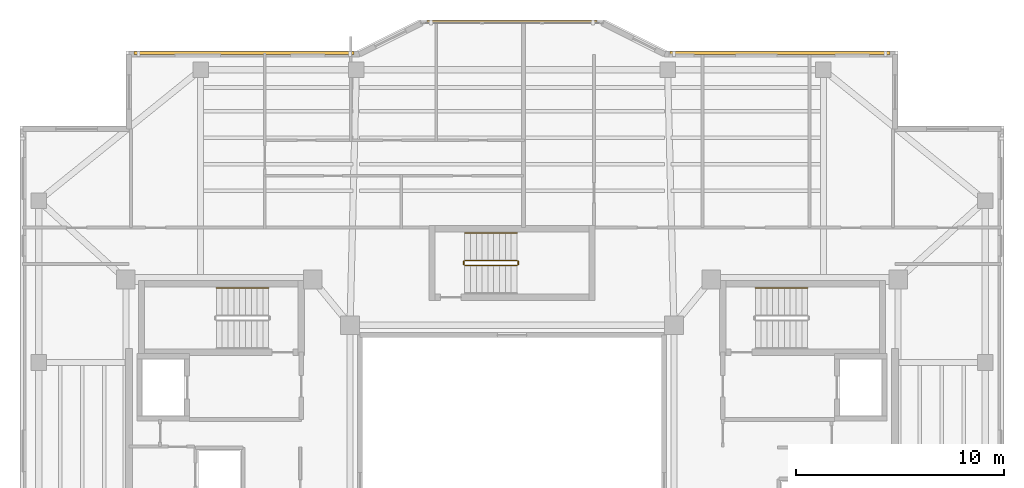
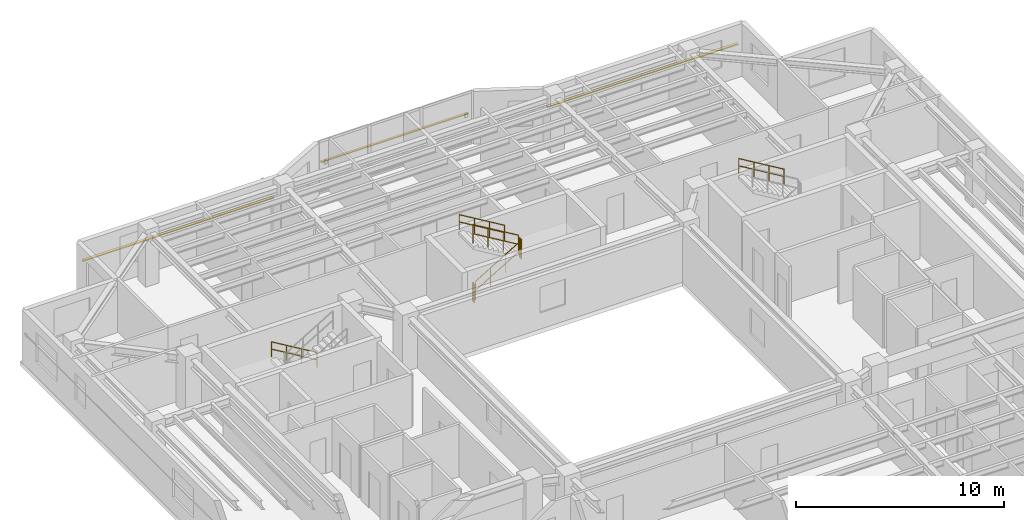
# One storey, part 13 of 13: 7 railings, 3 shading devices.
"""IFC4 building model written with IfcOpenShell, lengths in metres."""

from ifc_helpers import new_model, si_unit, direction, frame, origin, origin_2d, place, context, subcontext, project, spatial, rectangle, circle, extrude, material, material_profile, profile_set, type_object, element, save


model = new_model("IFC4")

# Units and contexts
model_context = context("Model", 3, precision=1e-05, world=origin(), true_north=direction((0.0, 1.0)))
body_context = subcontext(model_context, "Body", "Model", "MODEL_VIEW")
ifc_project = project(units=[si_unit("LENGTHUNIT", "METRE"), si_unit("AREAUNIT", "SQUARE_METRE"), si_unit("VOLUMEUNIT", "CUBIC_METRE"), si_unit("PLANEANGLEUNIT", "RADIAN"), si_unit("MASSUNIT", "GRAM", prefix="KILO")], contexts=[model_context])

# Site, building, storey
site_placement = place(None, origin())
site = spatial("IfcSite", under=ifc_project, at=site_placement, CompositionType="ELEMENT")
building_placement = place(site_placement, origin())
building = spatial("IfcBuilding", under=site, at=building_placement, Name="Tarnavaz Court Tower", CompositionType="ELEMENT")
storey_placement = place(building_placement, frame((0.0, 0.0, 193.60009765625)))
storey = spatial("IfcBuildingStorey", under=building, at=storey_placement, Name="L52", CompositionType="ELEMENT", Elevation=193.60009765625)

# Railings
ifc_material_1 = material(Name="Brushed Stainless Steel", Category="steel")
railing_type_1 = type_object("IfcRailingType", Name="RL-HANDRAIL-900", PredefinedType="HANDRAIL", material=ifc_material_1)
railing_1_placement = place(storey_placement, frame((-11.719970703125, 9.590087890625, 0.16748046875)))
element("IfcRailing", 1, at=railing_1_placement, inside=storey, type_object=railing_type_1, Name="L52 ST-W1 stair handrail 1", PredefinedType="HANDRAIL", context=body_context, shape_type="SweptSolid", body=[
    extrude(circle(Radius=0.02392578125, at=origin_2d()), frame((0.0, 0.0, 0.8759765625), z_axis=(-0.858196387827, 0.0, 0.513321497621), x_axis=(0.0, -1.0, 0.0)), (0.0, 0.0, 1.0), 2.9365234375),
    extrude(circle(Radius=0.02392578125, at=origin_2d()), frame((0.0, 0.0, 0.449951171875), z_axis=(-0.858196387827, 0.0, 0.513321497621), x_axis=(0.0, -1.0, 0.0)), (0.0, 0.0, 1.0), 2.9365234375),
    extrude(circle(Radius=0.02099609375, at=origin_2d()), origin(), (0.0, 0.0, 1.0), 0.851806640625),
    extrude(circle(Radius=0.02099609375, at=origin_2d()), frame((-0.840087890625, 0.0, 0.50244140625)), (0.0, 0.0, 1.0), 0.851806640625),
    extrude(circle(Radius=0.02099609375, at=origin_2d()), frame((-1.679931640625, 0.0, 1.0048828125)), (0.0, 0.0, 1.0), 0.851806640625),
    extrude(circle(Radius=0.02099609375, at=origin_2d()), frame((-2.52001953125, 0.0, 1.50732421875)), (0.0, 0.0, 1.0), 0.851806640625),
])
for number, where, name in (
    (2, (14.239990234375, 9.590087890625, 1.84228515625), "L52 ST-E1 stair handrail 2"),
    (3, (0.239990234375, 12.239990234375, 1.84228515625), "L52 ST-N1 stair handrail 2"),
):
    element("IfcRailing", number, at=place(storey_placement, frame(where)), inside=storey, type_object=railing_type_1, Name=name, PredefinedType="HANDRAIL", context=body_context, shape_type="SweptSolid", body=[
        extrude(circle(Radius=0.02392578125, at=origin_2d()), frame((0.0, 0.0, 0.8759765625), z_axis=(-0.858159760407, 0.0, 0.513382728203), x_axis=(0.0, -1.0, 0.0)), (0.0, 0.0, 1.0), 2.9365234375),
        extrude(circle(Radius=0.02392578125, at=origin_2d()), frame((0.0, 0.0, 0.449951171875), z_axis=(-0.858159760407, 0.0, 0.513382728203), x_axis=(0.0, -1.0, 0.0)), (0.0, 0.0, 1.0), 2.9365234375),
        extrude(circle(Radius=0.02099609375, at=origin_2d()), origin(), (0.0, 0.0, 1.0), 0.851806640625),
        extrude(circle(Radius=0.02099609375, at=origin_2d()), frame((-0.840087890625, 0.0, 0.50244140625)), (0.0, 0.0, 1.0), 0.851806640625),
        extrude(circle(Radius=0.02099609375, at=origin_2d()), frame((-1.679931640625, 0.0, 1.005126953125)), (0.0, 0.0, 1.0), 0.851806640625),
        extrude(circle(Radius=0.02099609375, at=origin_2d()), frame((-2.52001953125, 0.0, 1.507568359375)), (0.0, 0.0, 1.0), 0.851806640625),
    ])
ifc_material_2 = material(Name="Galvanized Painted Tubular Steel", Category="steel")
railing_type_2 = type_object("IfcRailingType", Name="RL-STGUARD-1120", PredefinedType="GUARDRAIL", material=ifc_material_2)
railing_2_placement = place(storey_placement, frame((-2.280029296875, 10.669921875, 0.16748046875)))
element("IfcRailing", 4, at=railing_2_placement, inside=storey, type_object=railing_type_2, Name="L52 ST-N1 stair guard 1", PredefinedType="GUARDRAIL", context=body_context, shape_type="SweptSolid", body=[
    extrude(circle(Radius=0.02392578125, at=origin_2d()), frame((0.0, 0.0, 1.09619140625), z_axis=(0.858196387827, 0.0, 0.513321497621), x_axis=(0.0, 1.0, 0.0)), (0.0, 0.0, 1.0), 2.9365234375),
    extrude(circle(Radius=0.02392578125, at=origin_2d()), frame((0.0, 0.0, 0.56005859375), z_axis=(0.858196387827, 0.0, 0.513321497621), x_axis=(0.0, 1.0, 0.0)), (0.0, 0.0, 1.0), 2.9365234375),
    extrude(circle(Radius=0.02099609375, at=origin_2d()), origin(), (0.0, 0.0, 1.0), 1.072021484375),
    extrude(circle(Radius=0.02099609375, at=origin_2d()), frame((0.840087890625, 0.0, 0.50244140625)), (0.0, 0.0, 1.0), 1.072021484375),
    extrude(circle(Radius=0.02099609375, at=origin_2d()), frame((1.679931640625, 0.0, 1.0048828125)), (0.0, 0.0, 1.0), 1.072021484375),
    extrude(circle(Radius=0.02099609375, at=origin_2d()), frame((2.52001953125, 0.0, 1.50732421875)), (0.0, 0.0, 1.0), 1.072021484375),
])
railing_3_placement = place(storey_placement, frame((0.2900390625, 10.719970703125, 1.6748046875)))
element("IfcRailing", 5, at=railing_3_placement, inside=storey, type_object=railing_type_2, Name="L52 ST-N1 stair guard 2", PredefinedType="GUARDRAIL", context=body_context, shape_type="SweptSolid", body=[
    extrude(circle(Radius=0.02392578125, at=origin_2d()), frame((0.0, 0.0, 1.09619140625), z_axis=(0.0, 1.0, 0.0), x_axis=(-1.0, 0.0, 0.0)), (0.0, 0.0, 1.0), 0.150146484375),
    extrude(circle(Radius=0.02392578125, at=origin_2d()), frame((0.0, 0.0, 0.56005859375), z_axis=(0.0, 1.0, 0.0), x_axis=(-1.0, 0.0, 0.0)), (0.0, 0.0, 1.0), 0.150146484375),
    extrude(circle(Radius=0.02099609375, at=origin_2d()), origin(), (0.0, 0.0, 1.0), 1.072021484375),
    extrude(circle(Radius=0.02099609375, at=origin_2d()), frame((0.0, 0.150146484375, 0.0)), (0.0, 0.0, 1.0), 1.072021484375),
])
railing_4_placement = place(storey_placement, frame((0.239990234375, 10.919921875, 1.84228515625)))
element("IfcRailing", 6, at=railing_4_placement, inside=storey, type_object=railing_type_2, Name="L52 ST-N1 stair guard 3", PredefinedType="GUARDRAIL", context=body_context, shape_type="SweptSolid", body=[
    extrude(circle(Radius=0.02392578125, at=origin_2d()), frame((0.0, 0.0, 1.09619140625), z_axis=(-0.858159760407, 0.0, 0.513382728203), x_axis=(0.0, -1.0, 0.0)), (0.0, 0.0, 1.0), 2.9365234375),
    extrude(circle(Radius=0.02392578125, at=origin_2d()), frame((0.0, 0.0, 0.56005859375), z_axis=(-0.858159760407, 0.0, 0.513382728203), x_axis=(0.0, -1.0, 0.0)), (0.0, 0.0, 1.0), 2.9365234375),
    extrude(circle(Radius=0.02099609375, at=origin_2d()), origin(), (0.0, 0.0, 1.0), 1.072021484375),
    extrude(circle(Radius=0.02099609375, at=origin_2d()), frame((-0.840087890625, 0.0, 0.50244140625)), (0.0, 0.0, 1.0), 1.072021484375),
    extrude(circle(Radius=0.02099609375, at=origin_2d()), frame((-1.679931640625, 0.0, 1.005126953125)), (0.0, 0.0, 1.0), 1.072021484375),
    extrude(circle(Radius=0.02099609375, at=origin_2d()), frame((-2.52001953125, 0.0, 1.507568359375)), (0.0, 0.0, 1.0), 1.072021484375),
])
railing_5_placement = place(storey_placement, frame((-2.330078125, 10.719970703125, 0.0)))
element("IfcRailing", 7, at=railing_5_placement, inside=storey, type_object=railing_type_2, Name="L52 ST-N1 stair guard 4", PredefinedType="GUARDRAIL", context=body_context, shape_type="SweptSolid", body=[
    extrude(circle(Radius=0.02392578125, at=origin_2d()), frame((0.0, 0.0, 1.09619140625), z_axis=(0.0, 1.0, 0.0), x_axis=(-1.0, 0.0, 0.0)), (0.0, 0.0, 1.0), 0.150146484375),
    extrude(circle(Radius=0.02392578125, at=origin_2d()), frame((0.0, 0.0, 0.56005859375), z_axis=(0.0, 1.0, 0.0), x_axis=(-1.0, 0.0, 0.0)), (0.0, 0.0, 1.0), 0.150146484375),
    extrude(circle(Radius=0.02099609375, at=origin_2d()), origin(), (0.0, 0.0, 1.0), 1.072021484375),
    extrude(circle(Radius=0.02099609375, at=origin_2d()), frame((0.0, 0.150146484375, 0.0)), (0.0, 0.0, 1.0), 1.072021484375),
])

# Shading devices
ifc_material_3 = material(Name="Kiln-Fired Khorasan Terracotta Ceramic", Category="masonry")
ifc_material_profile_1 = material_profile(ifc_material_3, rectangle(XDim=0.1201171875, YDim=0.06005859375, at=origin_2d()), Name="TC BAGUETTE 120X60")
ifc_profile_set_1 = profile_set([ifc_material_profile_1], Name="Kiln-Fired Khorasan Terracotta Ceramic")
shading_device_type_1 = type_object("IfcShadingDeviceType", Name="SD-BAG-120", PredefinedType="USERDEFINED", material=ifc_profile_set_1)
shading_device_placement = place(storey_placement, frame((-4.10009765625, 22.409912109375, 1.7998046875), z_axis=(1.0, 0.0, 0.0), x_axis=(0.0, 1.0, 0.0)))
element("IfcShadingDevice", 8, at=shading_device_placement, inside=storey, type_object=shading_device_type_1, Name="L52 Terracotta Baguette Screen PBG7", ObjectType="BAGUETTE", PredefinedType="USERDEFINED", context=body_context, shape_type="SweptSolid", body=[
    extrude(rectangle(XDim=0.1201171875, YDim=0.06005859375, at=origin_2d()), origin(), (0.0, 0.0, 1.0), 8.2001953125),
])
ifc_material_profile_2 = material_profile(ifc_material_3, rectangle(XDim=0.14990234375, YDim=0.06494140625, at=origin_2d()), Name="TC BAGUETTE 150X65")
ifc_profile_set_2 = profile_set([ifc_material_profile_2], Name="Kiln-Fired Khorasan Terracotta Ceramic")
shading_device_type_2 = type_object("IfcShadingDeviceType", Name="SD-BAG-150", PredefinedType="USERDEFINED", material=ifc_profile_set_2)
for number, where, z_axis, x_axis, name in (
    (9, (-18.199951171875, 20.909912109375, 1.849853515625), (1.0, 0.0, 0.0), (0.0, 1.0, 0.0), "L52 Terracotta Baguette Screen FBG05"),
    (10, (7.60009765625, 20.909912109375, 1.849853515625), (1.0, 0.0, 0.0), (0.0, 1.0, 0.0), "L52 Terracotta Baguette Screen FBG09"),
):
    element("IfcShadingDevice", number, at=place(storey_placement, frame(where, z_axis=z_axis, x_axis=x_axis)), inside=storey, type_object=shading_device_type_2, Name=name, ObjectType="BAGUETTE", PredefinedType="USERDEFINED", context=body_context, shape_type="SweptSolid", body=[
        extrude(rectangle(XDim=0.14990234375, YDim=0.06494140625, at=origin_2d()), origin(), (0.0, 0.0, 1.0), 10.599853515625),
    ])

save(model, "model.ifc")
